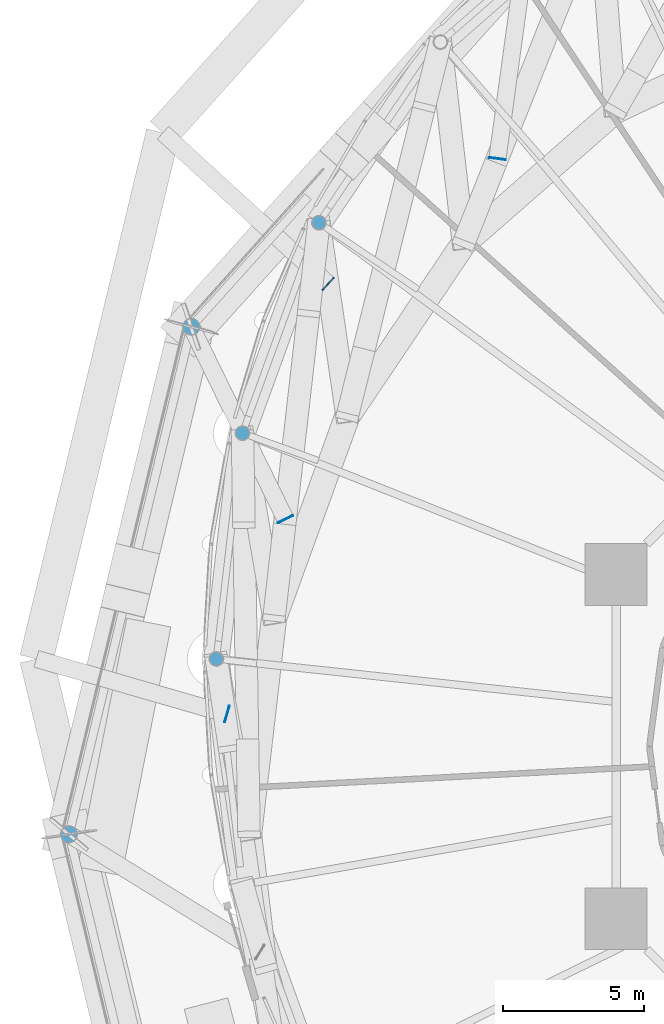
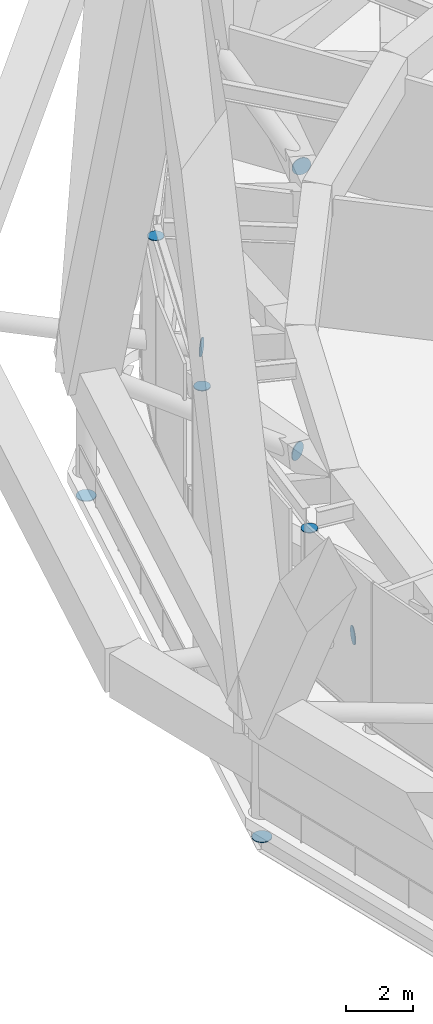
# One storey, part 60 of 65: 9 discrete accessories.
"""IFC4 building model written with IfcOpenShell, lengths in metres."""

from ifc_helpers import new_model, si_unit, direction, frame, origin, origin_2d, place, context, subcontext, project, spatial, circle, extrude, material, layer, layer_set, type_object, element, save


model = new_model("IFC4")

# Units and contexts
model_context = context("Model", 3, precision=1e-05, world=origin(), true_north=direction((0.0, 1.0)))
body_context = subcontext(model_context, "Body", "Model", "MODEL_VIEW")
ifc_project = project(units=[si_unit("LENGTHUNIT", "METRE"), si_unit("AREAUNIT", "SQUARE_METRE"), si_unit("VOLUMEUNIT", "CUBIC_METRE"), si_unit("PLANEANGLEUNIT", "RADIAN"), si_unit("MASSUNIT", "GRAM", prefix="KILO")], contexts=[model_context])

# Site, building, storey
site_placement = place(None, origin())
site = spatial("IfcSite", under=ifc_project, at=site_placement, CompositionType="ELEMENT")
building_placement = place(site_placement, origin())
building = spatial("IfcBuilding", under=site, at=building_placement, Name="Nagisa Residences", CompositionType="ELEMENT")
storey_placement = place(building_placement, frame((0.0, 0.0, 114.0)))
storey = spatial("IfcBuildingStorey", under=building, at=storey_placement, Name="L28", CompositionType="ELEMENT", Elevation=114.0)

# Discrete accessories
ifc_material_1 = material(Name="Steel ASTM A572 Gr 50", Category="steel")
ifc_layer_1 = layer(ifc_material_1, 0.030029296875)
ifc_layer_set_1 = layer_set([ifc_layer_1], Name="End plate")
discrete_accessory_type_1 = type_object("IfcDiscreteAccessoryType", Name="End plate", PredefinedType="ANCHORPLATE", material=ifc_layer_set_1)
for number, where, z_axis, x_axis, name in (
    (1, (-29.8896484375, 14.9296875, -0.889892578125), (0.0, 0.0, -1.0), (1.0, 0.0, 0.0), "End plate DH203"),
    (2, (-34.235107421875, -3.11767578125, -0.889892578125), (0.0, 0.0, -1.0), (1.0, 0.0, 0.0), "End plate DH204"),
):
    element("IfcDiscreteAccessory", number, at=place(storey_placement, frame(where, z_axis=z_axis, x_axis=x_axis)), inside=storey, type_object=discrete_accessory_type_1, Name=name, PredefinedType="ANCHORPLATE", context=body_context, shape_type="SweptSolid", body=[
        extrude(circle(Radius=0.304931640625, at=origin_2d()), origin(), (0.0, 0.0, 1.0), 0.030029296875),
    ])
for number, where, z_axis, x_axis, name in (
    (3, (-25.3515625, 18.625244140625, 4.737060546875), (0.0, 0.0, 1.0), (1.0, 0.0, 0.0), "End plate GP211"),
    (4, (-28.068359375, 11.14501953125, 4.737060546875), (0.0, 0.0, 1.0), (1.0, 0.0, 0.0), "End plate GP212"),
    (5, (-28.9951171875, 3.11767578125, 4.737060546875), (0.0, 0.0, 1.0), (1.0, 0.0, 0.0), "End plate GP213"),
):
    element("IfcDiscreteAccessory", number, at=place(storey_placement, frame(where, z_axis=z_axis, x_axis=x_axis)), inside=storey, type_object=discrete_accessory_type_1, Name=name, PredefinedType="ANCHORPLATE", context=body_context, shape_type="SweptSolid", body=[
        extrude(circle(Radius=0.25390625, at=origin_2d()), origin(), (0.0, 0.0, 1.0), 0.030029296875),
    ])
ifc_material_2 = material(Name="Steel ASTM A572 Gr 50", Category="steel")
ifc_layer_2 = layer(ifc_material_2, 0.030029296875)
ifc_layer_set_2 = layer_set([ifc_layer_2], Name="Node plate")
discrete_accessory_type_2 = type_object("IfcDiscreteAccessoryType", Name="Node plate", PredefinedType="ANCHORPLATE", material=ifc_layer_set_2)
for number, where, z_axis, x_axis, name in (
    (6, (-25.0361328125, 16.4599609375, 1.89990234375), (0.738836941664, -0.673884243496, 0.0), (0.673884243496, 0.738836941664, 0.0), "Node plate ST2A06"),
    (7, (-28.630859375, 1.15966796875, 1.89990234375), (0.960906954427, -0.276871495343, 0.0), (0.276871495343, 0.960906954427, 0.0), "Node plate ST2A07"),
    (8, (-19.000732421875, 20.9189453125, 3.699951171875), (-0.1300340368, -0.991509530601, 0.0), (0.991509530601, -0.1300340368, 0.0), "Node plate ST3B05"),
    (9, (-26.546875, 8.09912109375, 3.699951171875), (0.440673190639, -0.897667610562, 0.0), (0.897667610562, 0.440673190639, 0.0), "Node plate ST3B06"),
):
    element("IfcDiscreteAccessory", number, at=place(storey_placement, frame(where, z_axis=z_axis, x_axis=x_axis)), inside=storey, type_object=discrete_accessory_type_2, Name=name, PredefinedType="ANCHORPLATE", context=body_context, shape_type="SweptSolid", body=[
        extrude(circle(Radius=0.304931640625, at=origin_2d()), origin(), (0.0, 0.0, 1.0), 0.030029296875),
    ])

save(model, "model.ifc")
